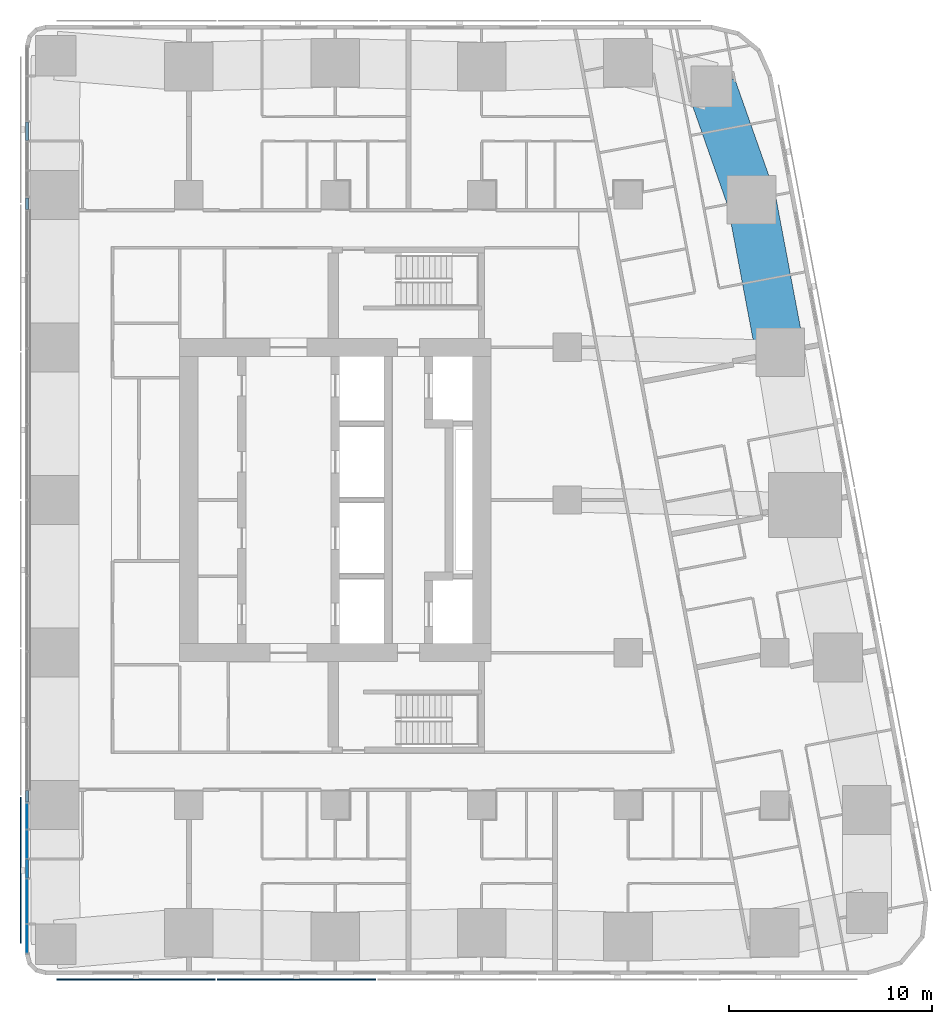
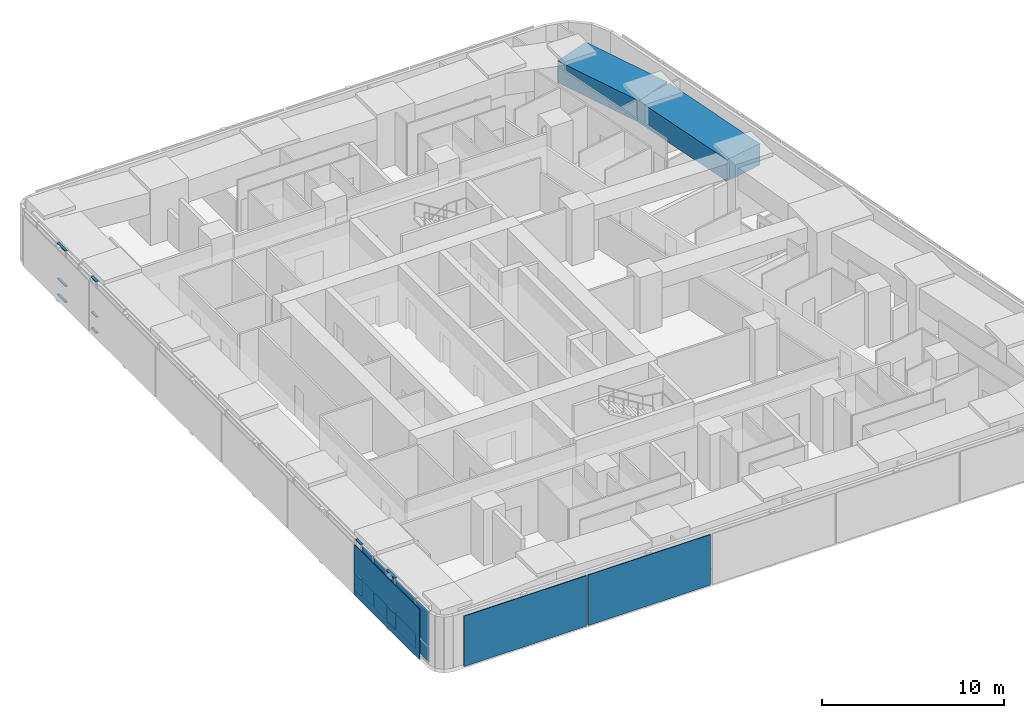
# One storey, part 6 of 19: 13 plates, 12 members, 2 beams, 1 element without a shape of its own.
"""IFC4 building model written with IfcOpenShell, lengths in metres."""

import ifcopenshell
import ifcopenshell.guid

model = None  # the IFC model being written
_history = None  # IfcOwnerHistory: only IFC2X3 demands one
_inside = {}  # id of a spatial element -> (the spatial element, [elements in it])
_under = {}  # id of a project, library or spatial element -> (it, [spatial elements below it])
_declared = {}  # id of a project -> (the project, [libraries it declares])
_typed = {}  # id of a type object -> (the type object, [elements of that type])
_made_of = {}  # id of a material, layer set ... -> (it, [elements and type objects made of it])


def new_model(schema):
    """Start an empty IFC model of exactly this schema.

    Asked for "IFC4X3", IfcOpenShell would pick the latest addendum, in which some entities
    have other attributes; the version numbers below select the first issue.
    IFC2X3 requires an IfcOwnerHistory on every rooted entity: one is made here for all.
    """
    global model, _history
    if schema == "IFC4X3":
        model = ifcopenshell.file(schema_version=(4, 3, 0, 0))
    else:
        model = ifcopenshell.file(schema=schema)
    _inside.clear()
    _under.clear()
    _declared.clear()
    _typed.clear()
    _made_of.clear()
    _history = None
    if model.schema == "IFC2X3":
        org = make("IfcOrganization", Name="unknown")
        user = make(
            "IfcPersonAndOrganization",
            ThePerson=make("IfcPerson", FamilyName="unknown"),
            TheOrganization=org,
        )
        app = make(
            "IfcApplication",
            ApplicationDeveloper=org,
            Version="unknown",
            ApplicationFullName="unknown",
            ApplicationIdentifier="unknown",
        )
        _history = make(
            "IfcOwnerHistory",
            OwningUser=user,
            OwningApplication=app,
            ChangeAction="ADDED",
            CreationDate=0,
        )
    return model


def make(cls, **values):
    """One entity of the class cls with the attributes given. An attribute that is None is left unset."""
    return model.create_entity(
        cls, **{name: value for name, value in values.items() if value is not None}
    )


def rooted(cls, **values):
    """An entity with a GlobalId (a new one), such as an element, a storey or a relation."""
    return make(cls, GlobalId=ifcopenshell.guid.new(), OwnerHistory=_history, **values)


def si_unit(unit_type, name, prefix=None):
    """IfcSIUnit, for example si_unit("LENGTHUNIT", "METRE", prefix="MILLI")."""
    return make("IfcSIUnit", UnitType=unit_type, Prefix=prefix, Name=name)


def assignment(units):
    """IfcUnitAssignment: the units of a project."""
    return None if units is None else make("IfcUnitAssignment", Units=units)


def point(xyz):
    """IfcCartesianPoint."""
    return None if xyz is None else make("IfcCartesianPoint", Coordinates=xyz)


def direction(xyz):
    """IfcDirection."""
    return None if xyz is None else make("IfcDirection", DirectionRatios=xyz)


def frame(location, z_axis=None, x_axis=None):
    """IfcAxis2Placement3D, a coordinate frame: its origin and axes. An axis left out is left unset."""
    return make(
        "IfcAxis2Placement3D",
        Location=point(location),
        Axis=direction(z_axis),
        RefDirection=direction(x_axis),
    )


def frame_2d(location, x_axis=None):
    """IfcAxis2Placement2D, a coordinate frame in the plane: its origin and x axis."""
    return make(
        "IfcAxis2Placement2D", Location=point(location), RefDirection=direction(x_axis)
    )


def origin():
    """The frame at (0, 0, 0) with its axes left unset."""
    return frame((0.0, 0.0, 0.0))


def origin_2d():
    """The frame at (0, 0) in the plane with its x axis left unset."""
    return frame_2d((0.0, 0.0))


def place(relative_to, where):
    """IfcLocalPlacement: puts the frame where relative to a parent placement (None: the world)."""
    return make(
        "IfcLocalPlacement", PlacementRelTo=relative_to, RelativePlacement=where
    )


def context(
    kind, dimensions, precision=None, world=None, true_north=None, identifier=None
):
    """IfcGeometricRepresentationContext, for example the 3D "Model" context."""
    return make(
        "IfcGeometricRepresentationContext",
        ContextIdentifier=identifier,
        ContextType=kind,
        CoordinateSpaceDimension=dimensions,
        Precision=precision,
        WorldCoordinateSystem=world,
        TrueNorth=true_north,
    )


def subcontext(parent, identifier, kind, view, scale=None):
    """IfcGeometricRepresentationSubContext, for example "Body" below "Model"."""
    return make(
        "IfcGeometricRepresentationSubContext",
        ContextIdentifier=identifier,
        ContextType=kind,
        ParentContext=parent,
        TargetScale=scale,
        TargetView=view,
    )


def project(units=None, contexts=None):
    """IfcProject with its units and contexts."""
    return rooted(
        "IfcProject",
        Name="project",
        RepresentationContexts=contexts,
        UnitsInContext=assignment(units),
    )


def spatial(cls, under=None, at=None, **own):
    """A site, building, storey or space (cls), placed at a placement, below another one or the project."""
    s = rooted(cls, ObjectPlacement=at, **own)
    if under is not None:
        _under.setdefault(under.id(), (under, []))[1].append(s)
    return s


def profile(cls, at=None, kind="AREA", **sizes):
    """A parametric profile (cls). Its sizes go by their IFC names, for example OverallWidth=200.0."""
    return make(cls, ProfileType=kind, Position=at, **sizes)


def rectangle(**sizes):
    """IfcRectangleProfileDef."""
    return profile("IfcRectangleProfileDef", **sizes)


def extrude(swept, where, along, depth):
    """IfcExtrudedAreaSolid: the profile swept, set in the frame where, extruded along a direction by depth."""
    return make(
        "IfcExtrudedAreaSolid",
        SweptArea=swept,
        Position=where,
        ExtrudedDirection=direction(along),
        Depth=depth,
    )


def shape(context_of_items, identifier, shape_type, items):
    """IfcShapeRepresentation: the items that make up one representation, for example the "Body"."""
    return make(
        "IfcShapeRepresentation",
        ContextOfItems=context_of_items,
        RepresentationIdentifier=identifier,
        RepresentationType=shape_type,
        Items=items,
    )


def material(Name=None, Category=None):
    """IfcMaterial."""
    return make("IfcMaterial", Name=Name, Category=Category)


def layer(
    of_material, thickness, ventilated=None, Name=None, Category=None, Priority=None
):
    """IfcMaterialLayer: one layer of a wall or slab, of a material (None: an air gap)."""
    return make(
        "IfcMaterialLayer",
        Material=of_material,
        LayerThickness=thickness,
        IsVentilated=ventilated,
        Name=Name,
        Category=Category,
        Priority=Priority,
    )


def layer_set(layers, Name=None):
    """IfcMaterialLayerSet."""
    return make("IfcMaterialLayerSet", MaterialLayers=layers, LayerSetName=Name)


def material_profile(
    of_material, cross_section, Name=None, Category=None, Priority=None
):
    """IfcMaterialProfile: a cross section and its material."""
    return make(
        "IfcMaterialProfile",
        Name=Name,
        Material=of_material,
        Profile=cross_section,
        Priority=Priority,
        Category=Category,
    )


def profile_set(profiles, Name=None, composite=None):
    """IfcMaterialProfileSet."""
    return make(
        "IfcMaterialProfileSet",
        Name=Name,
        MaterialProfiles=profiles,
        CompositeProfile=composite,
    )


def made_of(thing, what):
    """Note that an element or type object is made of a material, layer set ...; save() writes the relation."""
    if what is not None:
        _made_of.setdefault(what.id(), (what, []))[1].append(thing)
    return thing


def type_object(cls, material=None, **own):
    """A type object (cls), such as IfcWallType, which elements share."""
    return made_of(rooted(cls, **own), material)


def element(
    cls,
    number,
    at=None,
    inside=None,
    cuts=None,
    type_object=None,
    material=None,
    context=None,
    identifier="Body",
    shape_type=None,
    held_by="IfcProductDefinitionShape",
    body=None,
    shapes=None,
    **own,
):
    """One element of the class cls, such as IfcWall. Its Tag is "e" and its number.

    at: its placement. inside: the storey or other place that contains it. cuts: it is an
    opening in that element (IfcRelVoidsElement). A single representation is given by context,
    identifier, shape_type and body (its items); several are given by shapes. held_by: the class
    of the entity that holds the representations. save() writes the other relations.
    """
    e = rooted(cls, Tag="e%d" % number, ObjectPlacement=at, **own)
    if body is not None:
        shapes = [shape(context, identifier, shape_type, body)]
    if shapes is not None:
        e.Representation = make(held_by, Representations=shapes)
    if inside is not None:
        _inside.setdefault(inside.id(), (inside, []))[1].append(e)
    if cuts is not None:
        rooted(
            "IfcRelVoidsElement", RelatingBuildingElement=cuts, RelatedOpeningElement=e
        )
    if type_object is not None:
        _typed.setdefault(type_object.id(), (type_object, []))[1].append(e)
    return made_of(e, material)


def aggregate(whole, parts):
    """IfcRelAggregates: a whole, such as a stair, and the parts it consists of."""
    return rooted("IfcRelAggregates", RelatingObject=whole, RelatedObjects=parts)


def save(model, path):
    """Write the relations noted so far, then the file.

    IfcRelAggregates (storeys below a building ...), IfcRelContainedInSpatialStructure (elements
    in a storey), IfcRelDefinesByType, IfcRelAssociatesMaterial and IfcRelDeclares: one each for
    every whole, place, type object, material and project.
    """
    for whole, parts in _under.values():
        aggregate(whole, parts)
    for where, things in _inside.values():
        rooted(
            "IfcRelContainedInSpatialStructure",
            RelatedElements=things,
            RelatingStructure=where,
        )
    for kind, things in _typed.values():
        rooted("IfcRelDefinesByType", RelatedObjects=things, RelatingType=kind)
    for what, things in _made_of.values():
        rooted("IfcRelAssociatesMaterial", RelatedObjects=things, RelatingMaterial=what)
    for by, libraries in _declared.values():
        rooted("IfcRelDeclares", RelatingContext=by, RelatedDefinitions=libraries)
    model.write(path)


model = new_model("IFC4")

# Units and contexts
model_context = context("Model", 3, precision=1e-05, world=origin(), true_north=direction((0.0, 1.0)))
body_context = subcontext(model_context, "Body", "Model", "MODEL_VIEW")
ifc_project = project(units=[si_unit("LENGTHUNIT", "METRE"), si_unit("AREAUNIT", "SQUARE_METRE"), si_unit("VOLUMEUNIT", "CUBIC_METRE"), si_unit("PLANEANGLEUNIT", "RADIAN"), si_unit("MASSUNIT", "GRAM", prefix="KILO")], contexts=[model_context])

# Site, building, storey
site_placement = place(None, origin())
site = spatial("IfcSite", under=ifc_project, at=site_placement, CompositionType="ELEMENT")
building_placement = place(site_placement, origin())
building = spatial("IfcBuilding", under=site, at=building_placement, Name="Sheger Commons Tower", CompositionType="ELEMENT")
storey_placement = place(building_placement, frame((0.0, 0.0, 219.949951171875)))
storey = spatial("IfcBuildingStorey", under=building, at=storey_placement, Name="L56", CompositionType="ELEMENT", Elevation=219.949951171875)

# Beams
ifc_material_1 = material(Name="Concrete C50/60", Category="concrete")
ifc_material_profile_1 = material_profile(ifc_material_1, rectangle(XDim=2.39990234375, YDim=1.449951171875, at=origin_2d()), Name="RC 2400x1450")
ifc_profile_set_1 = profile_set([ifc_material_profile_1], Name="Concrete C50/60")
beam_type = type_object("IfcBeamType", Name="SPANDREL RC 2400x1450", PredefinedType="SPANDREL", material=ifc_profile_set_1)
beam_1_placement = place(storey_placement, frame((43.47998046875, 29.762939453125, 2.775146484375), z_axis=(-0.18552441405, 0.982639655108, 0.0), x_axis=(-0.982639655108, -0.18552441405, 0.0)))
element("IfcBeam", 1, at=beam_1_placement, inside=storey, type_object=beam_type, Name="Beam E/E-E/F under L57", PredefinedType="SPANDREL", context=body_context, shape_type="SweptSolid", body=[
    extrude(rectangle(XDim=2.39990234375, YDim=1.449951171875, at=origin_2d()), origin(), (0.0, 0.0, 1.0), 7.632568359375),
])
beam_2_placement = place(storey_placement, frame((42.06396484375, 37.262939453125, 2.775146484375), z_axis=(-0.332374403357, 0.943147526102, 0.0), x_axis=(-0.943147526102, -0.332374403357, 0.0)))
element("IfcBeam", 2, at=beam_2_placement, inside=storey, type_object=beam_type, Name="Beam E/F-41.490,44.505 under L57", PredefinedType="SPANDREL", context=body_context, shape_type="SweptSolid", body=[
    extrude(rectangle(XDim=2.39990234375, YDim=1.449951171875, at=origin_2d()), origin(), (0.0, 0.0, 1.0), 5.90283203125),
])

# Curtain wall, members, plates
ifc_material_2 = material(Name="Black aluminium curtain wall, dark tinted glazing", Category="aluminium")
curtain_wall_type = type_object("IfcCurtainWallType", Name="CURTAIN WALL CW4 GALLERY", PredefinedType="USERDEFINED", material=ifc_material_2)
curtain_wall_placement = place(storey_placement, origin())
curtain_wall = element("IfcCurtainWall", 3, at=curtain_wall_placement, inside=storey, type_object=curtain_wall_type, Name="Curtain Wall Cw4 Gallery W1 L56", ObjectType="UNITISED CURTAIN WALL", PredefinedType="USERDEFINED")
ifc_material_3 = material(Name="Black anodised aluminium", Category="aluminium")
ifc_material_profile_2 = material_profile(ifc_material_3, rectangle(XDim=0.14990234375, YDim=0.06494140625, at=origin_2d()), Name="AL 65x150")
ifc_profile_set_2 = profile_set([ifc_material_profile_2], Name="Black anodised aluminium")
member_type = type_object("IfcMemberType", Name="TRANSOM AL 65x150", PredefinedType="USERDEFINED", material=ifc_profile_set_2)
member_1_placement = place(storey_placement, frame((6.449951171875, 41.08154296875, 0.032470703125), z_axis=(0.0, -1.0, 0.0), x_axis=(1.0, 0.0, 0.0)))
member_1 = element("IfcMember", 4, at=member_1_placement, type_object=member_type, Name="CW4 transom 3.1", ObjectType="TRANSOM", PredefinedType="USERDEFINED", context=body_context, shape_type="SweptSolid", body=[
    extrude(rectangle(XDim=0.14990234375, YDim=0.06494140625, at=origin_2d()), origin(), (0.0, 0.0, 1.0), 0.89892578125),
])
member_2_placement = place(storey_placement, frame((6.449951171875, 41.08154296875, 1.10009765625), z_axis=(0.0, -1.0, 0.0), x_axis=(1.0, 0.0, 0.0)))
member_2 = element("IfcMember", 5, at=member_2_placement, type_object=member_type, Name="CW4 transom 3.2", ObjectType="TRANSOM", PredefinedType="USERDEFINED", context=body_context, shape_type="SweptSolid", body=[
    extrude(rectangle(XDim=0.14990234375, YDim=0.06494140625, at=origin_2d()), origin(), (0.0, 0.0, 1.0), 0.89892578125),
])
member_3_placement = place(storey_placement, frame((6.449951171875, 41.08154296875, 3.467529296875), z_axis=(0.0, -1.0, 0.0), x_axis=(1.0, 0.0, 0.0)))
member_3 = element("IfcMember", 6, at=member_3_placement, type_object=member_type, Name="CW4 transom 3.3", ObjectType="TRANSOM", PredefinedType="USERDEFINED", context=body_context, shape_type="SweptSolid", body=[
    extrude(rectangle(XDim=0.14990234375, YDim=0.06494140625, at=origin_2d()), origin(), (0.0, 0.0, 1.0), 0.89892578125),
])
member_4_placement = place(storey_placement, frame((6.449951171875, 37.3583984375, 0.032470703125), z_axis=(0.0, -1.0, 0.0), x_axis=(1.0, 0.0, 0.0)))
member_4 = element("IfcMember", 7, at=member_4_placement, type_object=member_type, Name="CW4 transom 6.1", ObjectType="TRANSOM", PredefinedType="USERDEFINED", context=body_context, shape_type="SweptSolid", body=[
    extrude(rectangle(XDim=0.14990234375, YDim=0.06494140625, at=origin_2d()), origin(), (0.0, 0.0, 1.0), 0.575927734375),
])
member_5_placement = place(storey_placement, frame((6.449951171875, 37.3583984375, 1.10009765625), z_axis=(0.0, -1.0, 0.0), x_axis=(1.0, 0.0, 0.0)))
member_5 = element("IfcMember", 8, at=member_5_placement, type_object=member_type, Name="CW4 transom 6.2", ObjectType="TRANSOM", PredefinedType="USERDEFINED", context=body_context, shape_type="SweptSolid", body=[
    extrude(rectangle(XDim=0.14990234375, YDim=0.06494140625, at=origin_2d()), origin(), (0.0, 0.0, 1.0), 0.575927734375),
])
member_6_placement = place(storey_placement, frame((6.449951171875, 37.3583984375, 3.467529296875), z_axis=(0.0, -1.0, 0.0), x_axis=(1.0, 0.0, 0.0)))
member_6 = element("IfcMember", 9, at=member_6_placement, type_object=member_type, Name="CW4 transom 6.3", ObjectType="TRANSOM", PredefinedType="USERDEFINED", context=body_context, shape_type="SweptSolid", body=[
    extrude(rectangle(XDim=0.14990234375, YDim=0.06494140625, at=origin_2d()), origin(), (0.0, 0.0, 1.0), 0.575927734375),
])
member_7_placement = place(storey_placement, frame((6.449951171875, 8.217529296875, 0.032470703125), z_axis=(0.0, -1.0, 0.0), x_axis=(1.0, 0.0, 0.0)))
member_7 = element("IfcMember", 10, at=member_7_placement, type_object=member_type, Name="CW4 transom 15.1", ObjectType="TRANSOM", PredefinedType="USERDEFINED", context=body_context, shape_type="SweptSolid", body=[
    extrude(rectangle(XDim=0.14990234375, YDim=0.06494140625, at=origin_2d()), origin(), (0.0, 0.0, 1.0), 0.575927734375),
])
member_8_placement = place(storey_placement, frame((6.449951171875, 8.217529296875, 1.10009765625), z_axis=(0.0, -1.0, 0.0), x_axis=(1.0, 0.0, 0.0)))
member_8 = element("IfcMember", 11, at=member_8_placement, type_object=member_type, Name="CW4 transom 15.2", ObjectType="TRANSOM", PredefinedType="USERDEFINED", context=body_context, shape_type="SweptSolid", body=[
    extrude(rectangle(XDim=0.14990234375, YDim=0.06494140625, at=origin_2d()), origin(), (0.0, 0.0, 1.0), 0.575927734375),
])
member_9_placement = place(storey_placement, frame((6.449951171875, 8.217529296875, 3.467529296875), z_axis=(0.0, -1.0, 0.0), x_axis=(1.0, 0.0, 0.0)))
member_9 = element("IfcMember", 12, at=member_9_placement, type_object=member_type, Name="CW4 transom 15.3", ObjectType="TRANSOM", PredefinedType="USERDEFINED", context=body_context, shape_type="SweptSolid", body=[
    extrude(rectangle(XDim=0.14990234375, YDim=0.06494140625, at=origin_2d()), origin(), (0.0, 0.0, 1.0), 0.575927734375),
])
member_10_placement = place(storey_placement, frame((6.449951171875, 4.8173828125, 0.032470703125), z_axis=(0.0, -1.0, 0.0), x_axis=(1.0, 0.0, 0.0)))
member_10 = element("IfcMember", 13, at=member_10_placement, type_object=member_type, Name="CW4 transom 18.1", ObjectType="TRANSOM", PredefinedType="USERDEFINED", context=body_context, shape_type="SweptSolid", body=[
    extrude(rectangle(XDim=0.14990234375, YDim=0.06494140625, at=origin_2d()), origin(), (0.0, 0.0, 1.0), 0.89892578125),
])
member_11_placement = place(storey_placement, frame((6.449951171875, 4.8173828125, 1.10009765625), z_axis=(0.0, -1.0, 0.0), x_axis=(1.0, 0.0, 0.0)))
member_11 = element("IfcMember", 14, at=member_11_placement, type_object=member_type, Name="CW4 transom 18.2", ObjectType="TRANSOM", PredefinedType="USERDEFINED", context=body_context, shape_type="SweptSolid", body=[
    extrude(rectangle(XDim=0.14990234375, YDim=0.06494140625, at=origin_2d()), origin(), (0.0, 0.0, 1.0), 0.89892578125),
])
member_12_placement = place(storey_placement, frame((6.449951171875, 4.8173828125, 3.467529296875), z_axis=(0.0, -1.0, 0.0), x_axis=(1.0, 0.0, 0.0)))
member_12 = element("IfcMember", 15, at=member_12_placement, type_object=member_type, Name="CW4 transom 18.3", ObjectType="TRANSOM", PredefinedType="USERDEFINED", context=body_context, shape_type="SweptSolid", body=[
    extrude(rectangle(XDim=0.14990234375, YDim=0.06494140625, at=origin_2d()), origin(), (0.0, 0.0, 1.0), 0.89892578125),
])
ifc_material_4 = material(Name="Dark tinted double glazing", Category="glass")
ifc_layer_1 = layer(ifc_material_4, 0.031982421875)
ifc_layer_set_1 = layer_set([ifc_layer_1], Name="GLAZED PANEL 32")
plate_type_1 = type_object("IfcPlateType", Name="GLAZED PANEL 32", PredefinedType="CURTAIN_PANEL", material=ifc_layer_set_1)
plate_1_placement = place(storey_placement, frame((6.449951171875, 6.95458984375, 0.065185546875), z_axis=(0.0, 0.0, 1.0), x_axis=(0.0, -1.0, 0.0)))
plate_1 = element("IfcPlate", 16, at=plate_1_placement, type_object=plate_type_1, Name="CW4 panel 16.1", PredefinedType="CURTAIN_PANEL", context=body_context, shape_type="SweptSolid", body=[
    extrude(rectangle(XDim=1.243896484375, YDim=0.031982421875, at=origin_2d()), origin(), (0.0, 0.0, 1.0), 1.00244140625),
])
plate_2_placement = place(storey_placement, frame((6.449951171875, 6.95458984375, 1.13232421875), z_axis=(0.0, 0.0, 1.0), x_axis=(0.0, -1.0, 0.0)))
plate_2 = element("IfcPlate", 17, at=plate_2_placement, type_object=plate_type_1, Name="CW4 panel 16.2", PredefinedType="CURTAIN_PANEL", context=body_context, shape_type="SweptSolid", body=[
    extrude(rectangle(XDim=1.243896484375, YDim=0.031982421875, at=origin_2d()), origin(), (0.0, 0.0, 1.0), 2.302490234375),
])
plate_3_placement = place(storey_placement, frame((6.449951171875, 5.574951171875, 0.065185546875), z_axis=(0.0, 0.0, 1.0), x_axis=(0.0, -1.0, 0.0)))
plate_3 = element("IfcPlate", 18, at=plate_3_placement, type_object=plate_type_1, Name="CW4 panel 17.1", PredefinedType="CURTAIN_PANEL", context=body_context, shape_type="SweptSolid", body=[
    extrude(rectangle(XDim=1.385009765625, YDim=0.031982421875, at=origin_2d()), origin(), (0.0, 0.0, 1.0), 1.00244140625),
])
plate_4_placement = place(storey_placement, frame((6.449951171875, 5.574951171875, 1.13232421875), z_axis=(0.0, 0.0, 1.0), x_axis=(0.0, -1.0, 0.0)))
plate_4 = element("IfcPlate", 19, at=plate_4_placement, type_object=plate_type_1, Name="CW4 panel 17.2", PredefinedType="CURTAIN_PANEL", context=body_context, shape_type="SweptSolid", body=[
    extrude(rectangle(XDim=1.385009765625, YDim=0.031982421875, at=origin_2d()), origin(), (0.0, 0.0, 1.0), 2.302490234375),
])
plate_5_placement = place(storey_placement, frame((6.449951171875, 4.367919921875, 0.065185546875), z_axis=(0.0, 0.0, 1.0), x_axis=(0.0, -1.0, 0.0)))
plate_5 = element("IfcPlate", 20, at=plate_5_placement, type_object=plate_type_1, Name="CW4 panel 18.1", PredefinedType="CURTAIN_PANEL", context=body_context, shape_type="SweptSolid", body=[
    extrude(rectangle(XDim=0.89892578125, YDim=0.031982421875, at=origin_2d()), origin(), (0.0, 0.0, 1.0), 1.00244140625),
])
plate_6_placement = place(storey_placement, frame((6.449951171875, 4.367919921875, 1.13232421875), z_axis=(0.0, 0.0, 1.0), x_axis=(0.0, -1.0, 0.0)))
plate_6 = element("IfcPlate", 21, at=plate_6_placement, type_object=plate_type_1, Name="CW4 panel 18.2", PredefinedType="CURTAIN_PANEL", context=body_context, shape_type="SweptSolid", body=[
    extrude(rectangle(XDim=0.89892578125, YDim=0.031982421875, at=origin_2d()), origin(), (0.0, 0.0, 1.0), 2.302490234375),
])
plate_7_placement = place(storey_placement, frame((6.449951171875, 2.77001953125, 0.065185546875), z_axis=(0.0, 0.0, 1.0), x_axis=(0.0, -1.0, 0.0)))
plate_7 = element("IfcPlate", 22, at=plate_7_placement, type_object=plate_type_1, Name="CW4 panel 19.1", PredefinedType="CURTAIN_PANEL", context=body_context, shape_type="SweptSolid", body=[
    extrude(rectangle(XDim=2.1669921875, YDim=0.031982421875, at=origin_2d()), origin(), (0.0, 0.0, 1.0), 1.00244140625),
])
plate_8_placement = place(storey_placement, frame((6.449951171875, 2.77001953125, 1.13232421875), z_axis=(0.0, 0.0, 1.0), x_axis=(0.0, -1.0, 0.0)))
plate_8 = element("IfcPlate", 23, at=plate_8_placement, type_object=plate_type_1, Name="CW4 panel 19.2", PredefinedType="CURTAIN_PANEL", context=body_context, shape_type="SweptSolid", body=[
    extrude(rectangle(XDim=2.1669921875, YDim=0.031982421875, at=origin_2d()), origin(), (0.0, 0.0, 1.0), 2.302490234375),
])
plate_9_placement = place(storey_placement, frame((6.449951171875, 0.9248046875, 0.065185546875), z_axis=(0.0, 0.0, 1.0), x_axis=(0.0, -1.0, 0.0)))
plate_9 = element("IfcPlate", 24, at=plate_9_placement, type_object=plate_type_1, Name="CW4 panel 20.1", PredefinedType="CURTAIN_PANEL", context=body_context, shape_type="SweptSolid", body=[
    extrude(rectangle(XDim=1.3935546875, YDim=0.031982421875, at=origin_2d()), origin(), (0.0, 0.0, 1.0), 1.00244140625),
])
plate_10_placement = place(storey_placement, frame((6.449951171875, 0.9248046875, 1.13232421875), z_axis=(0.0, 0.0, 1.0), x_axis=(0.0, -1.0, 0.0)))
plate_10 = element("IfcPlate", 25, at=plate_10_placement, type_object=plate_type_1, Name="CW4 panel 20.2", PredefinedType="CURTAIN_PANEL", context=body_context, shape_type="SweptSolid", body=[
    extrude(rectangle(XDim=1.3935546875, YDim=0.031982421875, at=origin_2d()), origin(), (0.0, 0.0, 1.0), 2.302490234375),
])
aggregate(curtain_wall, [member_1, member_2, member_3, member_4, member_5, member_6, member_7, member_8, member_9, plate_1, plate_2, plate_3, plate_4, member_10, member_11, member_12, plate_5, plate_6, plate_7, plate_8, plate_9, plate_10])

# Plates
ifc_material_5 = material(Name="Perforated black anodised aluminium screen", Category="aluminium")
ifc_layer_2 = layer(ifc_material_5, 0.050048828125)
ifc_layer_set_2 = layer_set([ifc_layer_2], Name="SOLAR SCREEN SCREEN-1")
plate_type_2 = type_object("IfcPlateType", Name="SOLAR SCREEN SCREEN-1", PredefinedType="USERDEFINED", material=ifc_layer_set_2)
for number, where, z_axis, x_axis, name in (
    (26, (11.7958984375, -1.074951171875, 0.050048828125), (0.0, 0.0, 1.0), (1.0, 0.0, 0.0), "Perforated solar screen panel"),
    (27, (19.68701171875, -1.074951171875, 0.050048828125), (0.0, 0.0, 1.0), (1.0, 0.0, 0.0), "Perforated solar screen panel"),
):
    element("IfcPlate", number, at=place(storey_placement, frame(where, z_axis=z_axis, x_axis=x_axis)), inside=storey, type_object=plate_type_2, Name=name, ObjectType="SCREEN", PredefinedType="USERDEFINED", context=body_context, shape_type="SweptSolid", body=[
        extrude(rectangle(XDim=7.791015625, YDim=0.050048828125, at=origin_2d()), origin(), (0.0, 0.0, 1.0), 3.39990234375),
    ])
plate_11_placement = place(storey_placement, frame((6.125, 4.2919921875, 0.050048828125), z_axis=(0.0, 0.0, 1.0), x_axis=(0.0, -1.0, 0.0)))
element("IfcPlate", 28, at=plate_11_placement, inside=storey, type_object=plate_type_2, Name="Perforated solar screen panel", ObjectType="SCREEN", PredefinedType="USERDEFINED", context=body_context, shape_type="SweptSolid", body=[
    extrude(rectangle(XDim=7.18310546875, YDim=0.050048828125, at=origin_2d()), origin(), (0.0, 0.0, 1.0), 3.39990234375),
])

save(model, "model.ifc")
